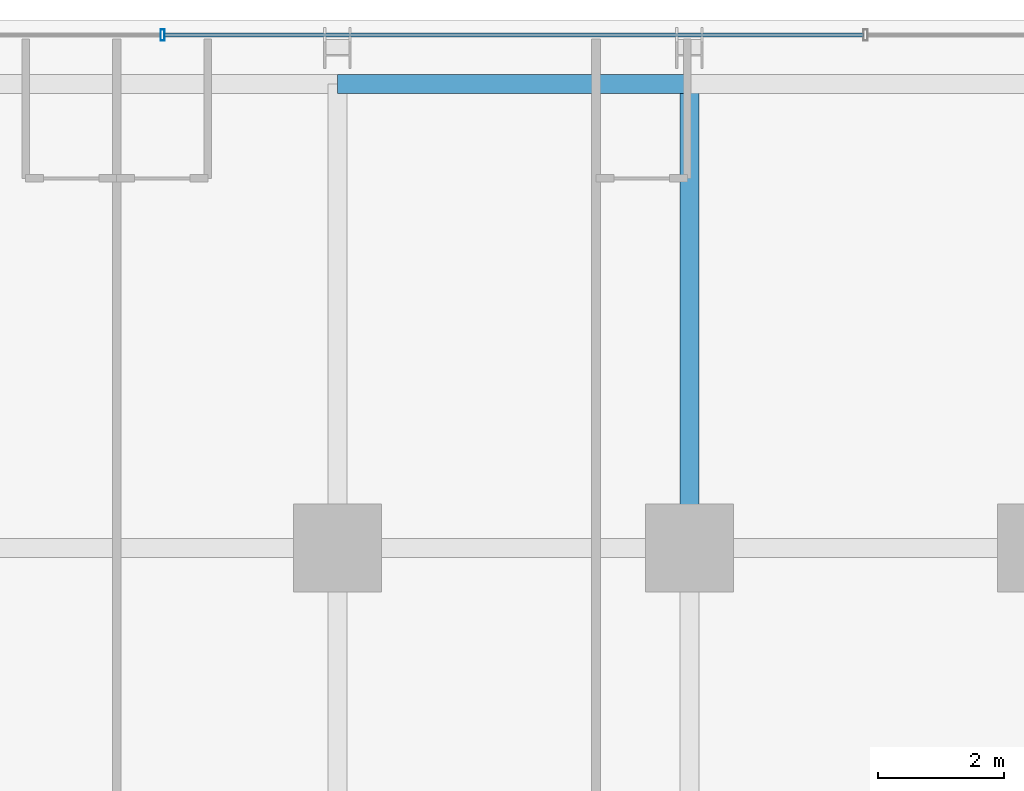
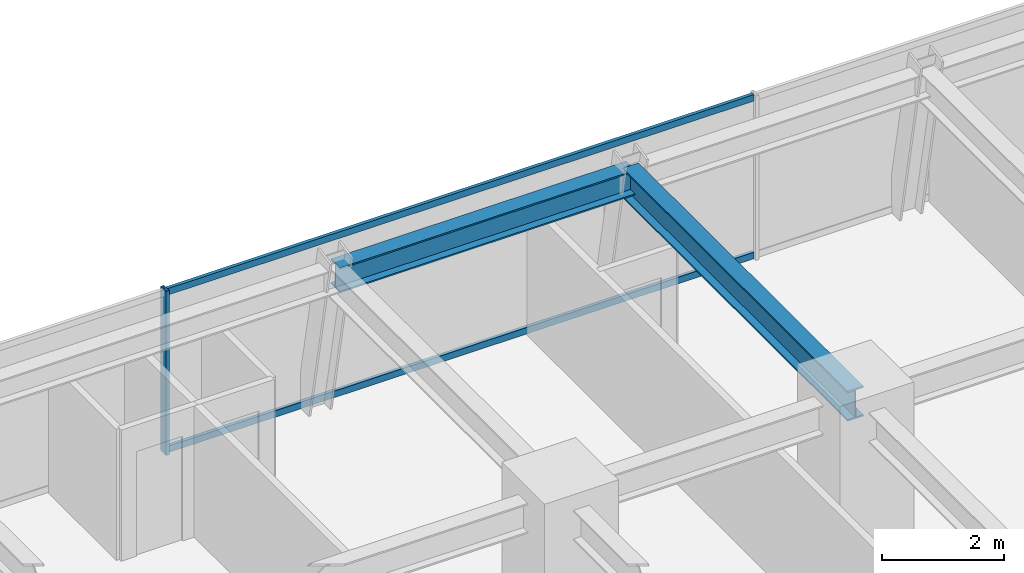
# One storey, part 21 of 35: 3 members, 2 beams, 1 element without a shape of its own.
"""IFC4 building model written with IfcOpenShell, lengths in metres."""

from ifc_helpers import new_model, si_unit, direction, frame, origin, origin_2d, place, context, subcontext, project, spatial, hollow_rectangle, i_section, extrude, source, transform, mapped, material, material_profile, profile_set, type_object, element, aggregate, save


model = new_model("IFC4")

# Units and contexts
model_context = context("Model", 3, precision=1e-05, world=origin(), true_north=direction((0.0, 1.0)))
body_context = subcontext(model_context, "Body", "Model", "MODEL_VIEW")
ifc_project = project(units=[si_unit("LENGTHUNIT", "METRE"), si_unit("AREAUNIT", "SQUARE_METRE"), si_unit("VOLUMEUNIT", "CUBIC_METRE"), si_unit("PLANEANGLEUNIT", "RADIAN"), si_unit("MASSUNIT", "GRAM", prefix="KILO")], contexts=[model_context])

# Site, building, storey
site_placement = place(None, origin())
site = spatial("IfcSite", under=ifc_project, at=site_placement, CompositionType="ELEMENT")
building_placement = place(site_placement, origin())
building = spatial("IfcBuilding", under=site, at=building_placement, Name="Nahalor Promenade Grand Hotel", CompositionType="ELEMENT")
storey_placement = place(building_placement, frame((0.0, 0.0, 79.85009765625)))
storey = spatial("IfcBuildingStorey", under=building, at=storey_placement, Name="L19", CompositionType="ELEMENT", Elevation=79.85009765625)

# Beams
ifc_material_1 = material(Name="Steel S355JR", Category="steel")
ifc_material_profile_1 = material_profile(ifc_material_1, i_section(OverallWidth=0.3, OverallDepth=0.5, WebThickness=0.0145, FlangeThickness=0.028, at=origin_2d()), Name="HEB 500")
ifc_profile_set_1 = profile_set([ifc_material_profile_1], Name="Steel S355JR")
beam_type_1 = type_object("IfcBeamType", Name="Beam-Spandrel-HEB500", PredefinedType="SPANDREL", material=ifc_profile_set_1)
shared_shape_1 = source(origin(), body_context, "Body", "SweptSolid", [
    extrude(i_section(OverallWidth=0.3, OverallDepth=0.5, WebThickness=0.0145, FlangeThickness=0.028, at=origin_2d()), origin(), (0.0, 0.0, 1.0), 5.599853515625),
])
beam_1_placement = place(storey_placement, frame((-8.39990234375, 24.3798828125, 3.039794921875), z_axis=(1.0, 0.0, 0.0), x_axis=(0.0, 1.0, 0.0)))
element("IfcBeam", 1, at=beam_1_placement, inside=storey, type_object=beam_type_1, Name="BM-L19-SP-N-1", PredefinedType="SPANDREL", context=body_context, shape_type="MappedRepresentation", body=[
    mapped(shared_shape_1, transform((0.0, 0.0, 0.0), scale=1.0)),
])
ifc_material_profile_2 = material_profile(ifc_material_1, i_section(OverallWidth=0.3, OverallDepth=0.6, WebThickness=0.0155, FlangeThickness=0.03, at=origin_2d()), Name="HEB 600")
ifc_profile_set_2 = profile_set([ifc_material_profile_2], Name="Steel S355JR")
beam_type_2 = type_object("IfcBeamType", Name="Beam-Girder-HEB600", PredefinedType="BEAM", material=ifc_profile_set_2)
shared_shape_2 = source(origin(), body_context, "Body", "SweptSolid", [
    extrude(i_section(OverallWidth=0.3, OverallDepth=0.6, WebThickness=0.0155, FlangeThickness=0.03, at=origin_2d()), origin(), (0.0, 0.0, 1.0), 7.3798828125),
])
beam_2_placement = place(storey_placement, frame((-2.800048828125, 17.0, 2.989990234375), z_axis=(0.0, 1.0, 0.0), x_axis=(-1.0, 0.0, 0.0)))
element("IfcBeam", 2, at=beam_2_placement, inside=storey, type_object=beam_type_2, Name="BM-L19-GY-2-4", PredefinedType="BEAM", context=body_context, shape_type="MappedRepresentation", body=[
    mapped(shared_shape_2, transform((0.0, 0.0, 0.0), scale=1.0)),
])

# Curtain wall, members
ifc_material_2 = material(Name="Anodised Bronze Aluminium EN AW-6063 T6", Category="aluminium")
curtain_wall_type = type_object("IfcCurtainWallType", Name="CW2 Typical Hotel Flush Bronze Unitised Curtain Wall", PredefinedType="USERDEFINED", material=ifc_material_2)
curtain_wall_placement = place(storey_placement, origin())
curtain_wall = element("IfcCurtainWall", 3, at=curtain_wall_placement, inside=storey, type_object=curtain_wall_type, Name="L19 Curtain Wall CW-L19-N-1", ObjectType="UNITISED_CURTAIN_WALL", PredefinedType="USERDEFINED")
ifc_material_profile_3 = material_profile(ifc_material_2, hollow_rectangle(XDim=0.065, YDim=0.13, WallThickness=0.004, at=origin_2d()), Name="CWT 65x130x4")
ifc_profile_set_3 = profile_set([ifc_material_profile_3], Name="Anodised Bronze Aluminium EN AW-6063 T6")
member_type_1 = type_object("IfcMemberType", Name="CWT2 Typical Bronze Transom 65x130", PredefinedType="USERDEFINED", material=ifc_profile_set_3)
shared_shape_3 = source(origin(), body_context, "Body", "SweptSolid", [
    extrude(hollow_rectangle(XDim=0.065, YDim=0.13, WallThickness=0.004, at=origin_2d()), origin(), (0.0, 0.0, 1.0), 11.114990234375),
])
member_1_placement = place(storey_placement, frame((-11.1474609375, 25.159912109375, 0.06494140625), z_axis=(1.0, 0.0, 0.0), x_axis=(0.0, 1.0, 0.0)))
member_1 = element("IfcMember", 4, at=member_1_placement, type_object=member_type_1, Name="CW-L19-N-1 Transom 1-0", ObjectType="TRANSOM", PredefinedType="USERDEFINED", context=body_context, shape_type="MappedRepresentation", body=[
    mapped(shared_shape_3, transform((0.0, 0.0, 0.0), scale=1.0)),
])
member_2_placement = place(storey_placement, frame((-11.1474609375, 25.159912109375, 3.224853515625), z_axis=(1.0, 0.0, 0.0), x_axis=(0.0, 1.0, 0.0)))
member_2 = element("IfcMember", 5, at=member_2_placement, type_object=member_type_1, Name="CW-L19-N-1 Transom 1-1", ObjectType="TRANSOM", PredefinedType="USERDEFINED", context=body_context, shape_type="MappedRepresentation", body=[
    mapped(shared_shape_3, transform((0.0, 0.0, 0.0), scale=1.0)),
])
ifc_material_profile_4 = material_profile(ifc_material_2, hollow_rectangle(XDim=0.065, YDim=0.18, WallThickness=0.004, at=origin_2d()), Name="CWM 65x180x4")
ifc_profile_set_4 = profile_set([ifc_material_profile_4], Name="Anodised Bronze Aluminium EN AW-6063 T6")
member_type_2 = type_object("IfcMemberType", Name="CWM2 Typical Bronze Mullion 65x180", PredefinedType="MULLION", material=ifc_profile_set_4)
shared_shape_4 = source(origin(), body_context, "Body", "SweptSolid", [
    extrude(hollow_rectangle(XDim=0.065, YDim=0.18, WallThickness=0.004, at=origin_2d()), origin(), (0.0, 0.0, 1.0), 3.289794921875),
])
member_3_placement = place(storey_placement, frame((-11.179931640625, 25.159912109375, 0.0), z_axis=(0.0, 0.0, 1.0), x_axis=(1.0, 0.0, 0.0)))
member_3 = element("IfcMember", 6, at=member_3_placement, type_object=member_type_2, Name="CW-L19-N-1 Mullion 1", PredefinedType="MULLION", context=body_context, shape_type="MappedRepresentation", body=[
    mapped(shared_shape_4, transform((0.0, 0.0, 0.0), scale=1.0)),
])
aggregate(curtain_wall, [member_3, member_1, member_2])

save(model, "model.ifc")
